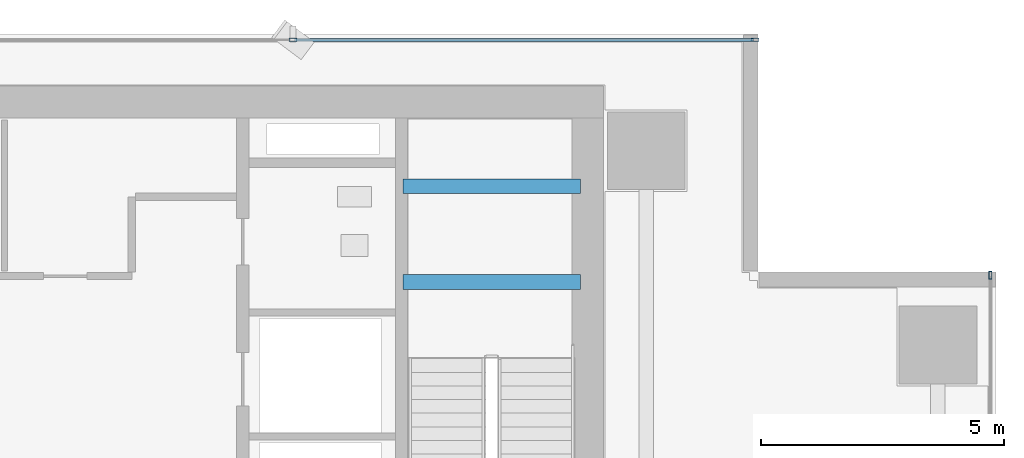
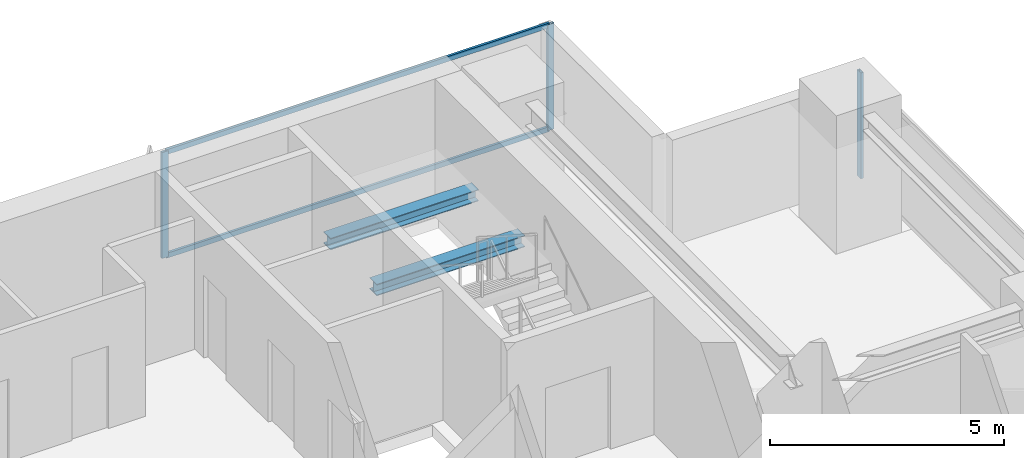
# One storey, part 19 of 29: 5 members, 2 beams, 2 elements without a shape of their own.
"""IFC4 building model written with IfcOpenShell, lengths in metres."""

from ifc_helpers import new_model, si_unit, direction, frame, origin, origin_2d, place, context, subcontext, project, spatial, hollow_rectangle, i_section, extrude, source, transform, mapped, material, layer, layer_set, material_profile, profile_set, type_object, element, aggregate, save


model = new_model("IFC4")

# Units and contexts
model_context = context("Model", 3, precision=1e-05, world=origin(), true_north=direction((0.0, 1.0)))
body_context = subcontext(model_context, "Body", "Model", "MODEL_VIEW")
ifc_project = project(units=[si_unit("LENGTHUNIT", "METRE"), si_unit("AREAUNIT", "SQUARE_METRE"), si_unit("VOLUMEUNIT", "CUBIC_METRE"), si_unit("PLANEANGLEUNIT", "RADIAN"), si_unit("MASSUNIT", "GRAM", prefix="KILO")], contexts=[model_context])

# Site, building, storey
site_placement = place(None, origin())
site = spatial("IfcSite", under=ifc_project, at=site_placement, CompositionType="ELEMENT")
building_placement = place(site_placement, origin())
building = spatial("IfcBuilding", under=site, at=building_placement, Name="Sumidabori Civic Tower", CompositionType="ELEMENT")
storey_placement = place(building_placement, frame((0.0, 0.0, 131.60009765625)))
storey = spatial("IfcBuildingStorey", under=building, at=storey_placement, Name="L33", CompositionType="ELEMENT", Elevation=131.60009765625)

# Beams
ifc_material_1 = material(Name="Steel SN490", Category="steel")
ifc_material_profile_1 = material_profile(ifc_material_1, i_section(OverallWidth=0.300048828125, OverallDepth=0.300048828125, WebThickness=0.010986328125, FlangeThickness=0.01904296875, at=origin_2d()), Name="HE 300 B")
ifc_profile_set_1 = profile_set([ifc_material_profile_1], Name="Steel SN490")
beam_type = type_object("IfcBeamType", Name="BM-LDG-300", PredefinedType="BEAM", material=ifc_profile_set_1)
shared_shape_1 = source(origin(), body_context, "Body", "SweptSolid", [
    extrude(i_section(OverallWidth=0.300048828125, OverallDepth=0.300048828125, WebThickness=0.010986328125, FlangeThickness=0.01904296875, at=origin_2d()), origin(), (0.0, 0.0, 1.0), 3.64990234375),
])
for number, where, z_axis, x_axis, name in (
    (1, (11.800048828125, 20.09765625, 1.449951171875), (1.0, 0.0, 0.0), (0.0, 1.0, 0.0), "Stair ST-2 Landing Support Beam L33-1A"),
    (2, (11.800048828125, 22.069580078125, 1.449951171875), (1.0, 0.0, 0.0), (0.0, 1.0, 0.0), "Stair ST-2 Landing Trimmer Beam L33-1B"),
):
    element("IfcBeam", number, at=place(storey_placement, frame(where, z_axis=z_axis, x_axis=x_axis)), inside=storey, type_object=beam_type, Name=name, PredefinedType="BEAM", context=body_context, shape_type="MappedRepresentation", body=[
        mapped(shared_shape_1, transform((0.0, 0.0, 0.0), x_axis=(1.0, 0.0, 0.0), y_axis=(0.0, 1.0, 0.0), z_axis=(0.0, 0.0, 1.0), scale=1.0)),
    ])

# Curtain wall, member
ifc_material_2 = material(Name="Anodised Bronze Aluminium AW-6063-T6", Category="aluminium")
ifc_layer = layer(ifc_material_2, 0.179931640625, Name="Anodised Bronze Aluminium AW-6063-T6")
ifc_layer_set = layer_set([ifc_layer], Name="Anodised Bronze Aluminium AW-6063-T6")
curtain_wall_type = type_object("IfcCurtainWallType", Name="CW-SYS-3", PredefinedType="NOTDEFINED", material=ifc_layer_set)
curtain_wall_1_placement = place(storey_placement, origin())
curtain_wall_1 = element("IfcCurtainWall", 3, at=curtain_wall_1_placement, inside=storey, type_object=curtain_wall_type, Name="Curtain Wall CW:L33:R04", PredefinedType="NOTDEFINED")
ifc_material_profile_2 = material_profile(ifc_material_2, hollow_rectangle(XDim=0.06494140625, YDim=0.159912109375, WallThickness=0.0048828125, at=origin_2d()), Name="ALU MULLION 160x65")
ifc_profile_set_2 = profile_set([ifc_material_profile_2], Name="Anodised Bronze Aluminium AW-6063-T6")
member_type_1 = type_object("IfcMemberType", Name="CW-MUL-160", PredefinedType="MULLION", material=ifc_profile_set_2)
shared_shape_2 = source(origin(), body_context, "Body", "SweptSolid", [
    extrude(hollow_rectangle(XDim=0.06494140625, YDim=0.159912109375, WallThickness=0.0048828125, at=origin_2d()), origin(), (0.0, 0.0, 1.0), 2.760009765625),
])
member_1_placement = place(storey_placement, frame((23.8798828125, 20.237548828125, 0.0), z_axis=(0.0, 0.0, 1.0), x_axis=(-1.0, 0.0, 0.0)))
member_1 = element("IfcMember", 4, at=member_1_placement, type_object=member_type_1, Name="CW-3 mullion 5", PredefinedType="MULLION", context=body_context, shape_type="MappedRepresentation", body=[
    mapped(shared_shape_2, transform((0.0, 0.0, 0.0), x_axis=(1.0, 0.0, 0.0), y_axis=(0.0, 1.0, 0.0), z_axis=(0.0, 0.0, 1.0), scale=1.0)),
])
aggregate(curtain_wall_1, [member_1])

# Curtain wall, members
curtain_wall_2_placement = place(storey_placement, origin())
curtain_wall_2 = element("IfcCurtainWall", 5, at=curtain_wall_2_placement, inside=storey, type_object=curtain_wall_type, Name="Curtain Wall CW:L33:R07", PredefinedType="NOTDEFINED")
member_2_placement = place(storey_placement, frame((19.03759765625, 25.080078125, 0.0), z_axis=(0.0, 0.0, 1.0), x_axis=(0.0, -1.0, 0.0)))
member_2 = element("IfcMember", 6, at=member_2_placement, type_object=member_type_1, Name="CW-3 mullion 1", PredefinedType="MULLION", context=body_context, shape_type="MappedRepresentation", body=[
    mapped(shared_shape_2, transform((0.0, 0.0, 0.0), x_axis=(1.0, 0.0, 0.0), y_axis=(0.0, 1.0, 0.0), z_axis=(0.0, 0.0, 1.0), scale=1.0)),
])
member_3_placement = place(storey_placement, frame((9.534912109375, 25.080078125, 0.0), z_axis=(0.0, 0.0, 1.0), x_axis=(0.0, -1.0, 0.0)))
member_3 = element("IfcMember", 7, at=member_3_placement, type_object=member_type_1, Name="CW-3 mullion 2", PredefinedType="MULLION", context=body_context, shape_type="MappedRepresentation", body=[
    mapped(shared_shape_2, transform((0.0, 0.0, 0.0), x_axis=(1.0, 0.0, 0.0), y_axis=(0.0, 1.0, 0.0), z_axis=(0.0, 0.0, 1.0), scale=1.0)),
])
ifc_material_profile_3 = material_profile(ifc_material_2, hollow_rectangle(XDim=0.06005859375, YDim=0.1298828125, WallThickness=0.0048828125, at=origin_2d()), Name="ALU TRANSOM 130x60")
ifc_profile_set_3 = profile_set([ifc_material_profile_3], Name="Anodised Bronze Aluminium AW-6063-T6")
member_type_2 = type_object("IfcMemberType", Name="CW-TRN-130", PredefinedType="USERDEFINED", material=ifc_profile_set_3)
shared_shape_3 = source(origin(), body_context, "Body", "SweptSolid", [
    extrude(hollow_rectangle(XDim=0.06005859375, YDim=0.1298828125, WallThickness=0.0048828125, at=origin_2d()), origin(), (0.0, 0.0, 1.0), 9.4375),
])
member_4_placement = place(storey_placement, frame((19.0048828125, 25.080078125, 0.02978515625), z_axis=(-1.0, 0.0, 0.0), x_axis=(0.0, -1.0, 0.0)))
member_4 = element("IfcMember", 8, at=member_4_placement, type_object=member_type_2, Name="CW-3 transom 1.1", ObjectType="TRANSOM", PredefinedType="USERDEFINED", context=body_context, shape_type="MappedRepresentation", body=[
    mapped(shared_shape_3, transform((0.0, 0.0, 0.0), x_axis=(1.0, 0.0, 0.0), y_axis=(0.0, 1.0, 0.0), z_axis=(0.0, 0.0, 1.0), scale=1.0)),
])
member_5_placement = place(storey_placement, frame((19.0048828125, 25.080078125, 2.72998046875), z_axis=(-1.0, 0.0, 0.0), x_axis=(0.0, -1.0, 0.0)))
member_5 = element("IfcMember", 9, at=member_5_placement, type_object=member_type_2, Name="CW-3 transom 1.2", ObjectType="TRANSOM", PredefinedType="USERDEFINED", context=body_context, shape_type="MappedRepresentation", body=[
    mapped(shared_shape_3, transform((0.0, 0.0, 0.0), x_axis=(1.0, 0.0, 0.0), y_axis=(0.0, 1.0, 0.0), z_axis=(0.0, 0.0, 1.0), scale=1.0)),
])
aggregate(curtain_wall_2, [member_2, member_3, member_4, member_5])

save(model, "model.ifc")
